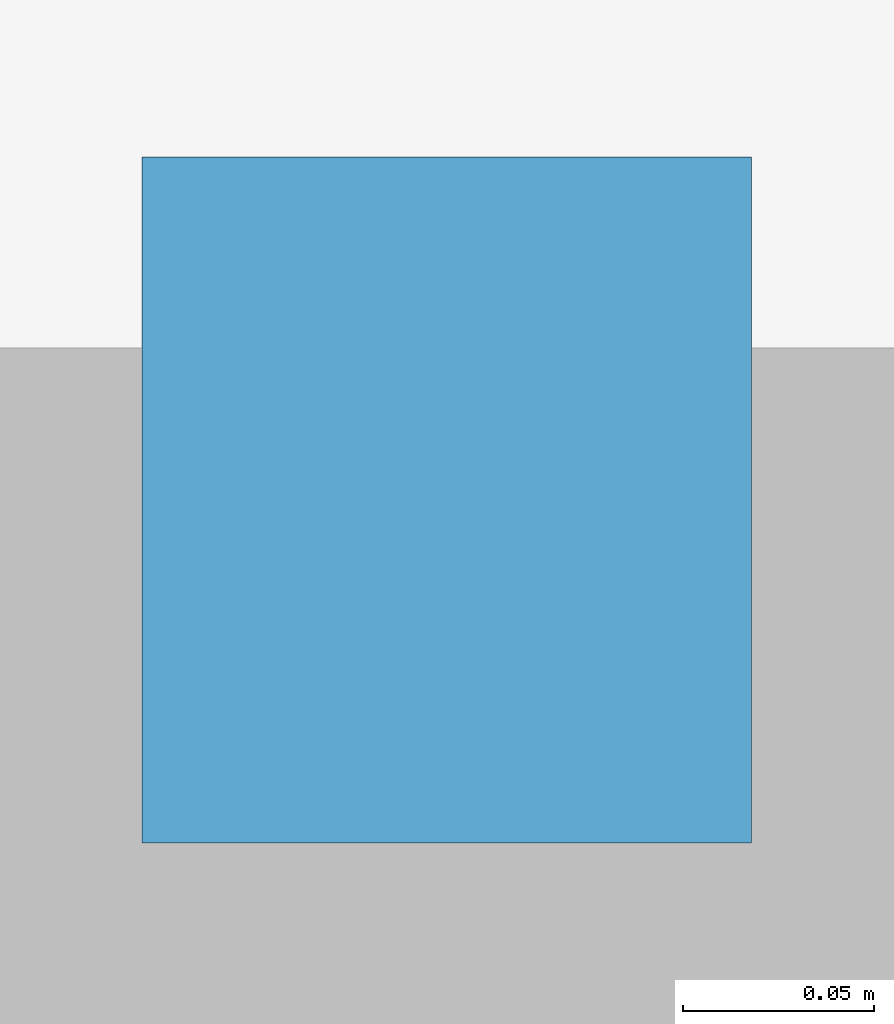
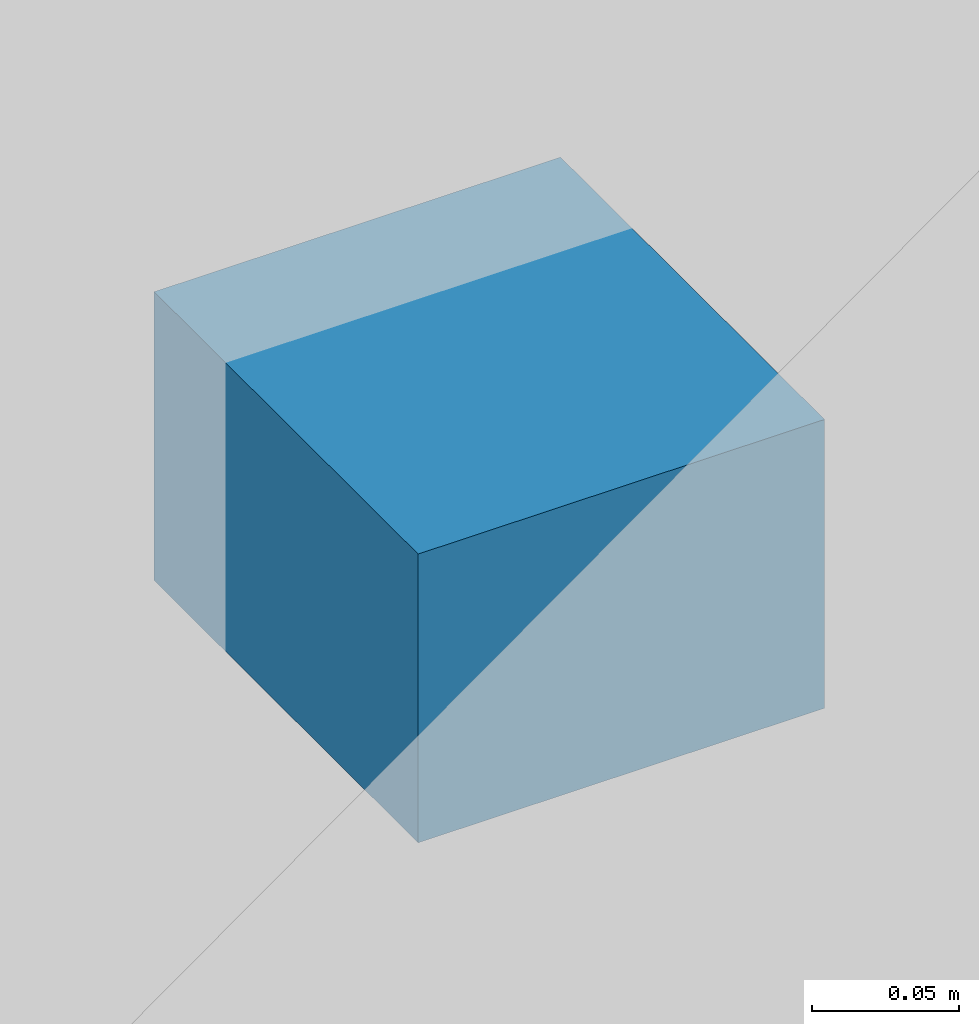
# One storey, part 29 of 35: 1 discrete accessory.
"""IFC4 building model written with IfcOpenShell, lengths in metres."""

from ifc_helpers import new_model, si_unit, direction, frame, origin, origin_2d, place, context, subcontext, project, spatial, rectangle, extrude, material, type_object, element, save


model = new_model("IFC4")

# Units and contexts
model_context = context("Model", 3, precision=1e-05, world=origin(), true_north=direction((0.0, 1.0)))
body_context = subcontext(model_context, "Body", "Model", "MODEL_VIEW")
ifc_project = project(units=[si_unit("LENGTHUNIT", "METRE"), si_unit("AREAUNIT", "SQUARE_METRE"), si_unit("VOLUMEUNIT", "CUBIC_METRE"), si_unit("PLANEANGLEUNIT", "RADIAN"), si_unit("MASSUNIT", "GRAM", prefix="KILO")], contexts=[model_context])

# Site, building, storey
site_placement = place(None, origin())
site = spatial("IfcSite", under=ifc_project, at=site_placement, CompositionType="ELEMENT")
building_placement = place(site_placement, origin())
building = spatial("IfcBuilding", under=site, at=building_placement, Name="Kazevale Care Tower and Concert Hall", CompositionType="ELEMENT")
storey_placement = place(building_placement, origin())
storey = spatial("IfcBuildingStorey", under=building, at=storey_placement, Name="L00", CompositionType="ELEMENT", Elevation=0.0)

# Discrete accessory
ifc_material = material(Name="Stainless Steel 316", Category="steel")
discrete_accessory_type = type_object("IfcDiscreteAccessoryType", Name="Hoistway Guide-Rail Wall Bracket HBRK-1", PredefinedType="BRACKET", material=ifc_material)
discrete_accessory_placement = place(storey_placement, frame((99.300048828125, 48.820068359375, 1.239990234375), z_axis=(0.0, 0.0, 1.0), x_axis=(1.0, 0.0, 0.0)))
element("IfcDiscreteAccessory", 1, at=discrete_accessory_placement, inside=storey, type_object=discrete_accessory_type, Name="hbrk:CHL-1:L00", PredefinedType="BRACKET", context=body_context, shape_type="SweptSolid", body=[
    extrude(rectangle(XDim=0.159912109375, YDim=0.179931640625, at=origin_2d()), origin(), (0.0, 0.0, 1.0), 0.1201171875),
])

save(model, "model.ifc")
